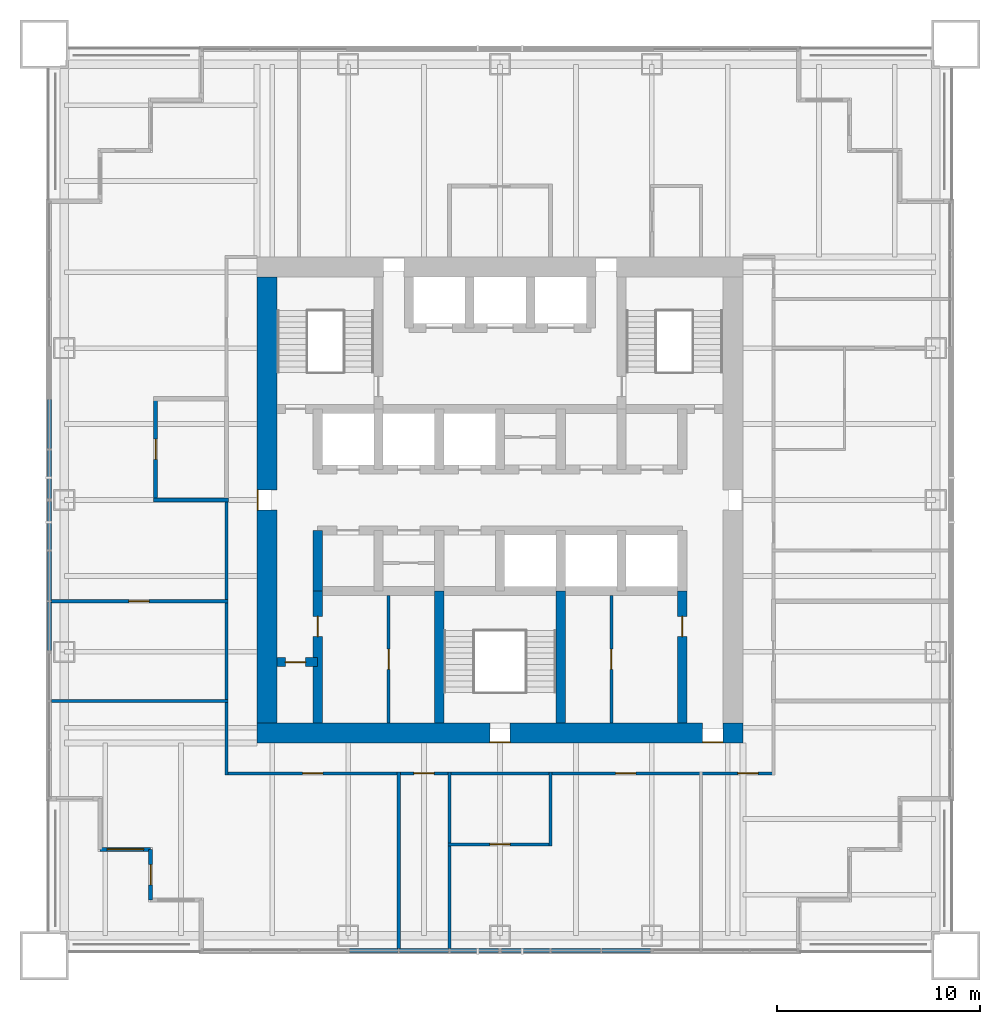
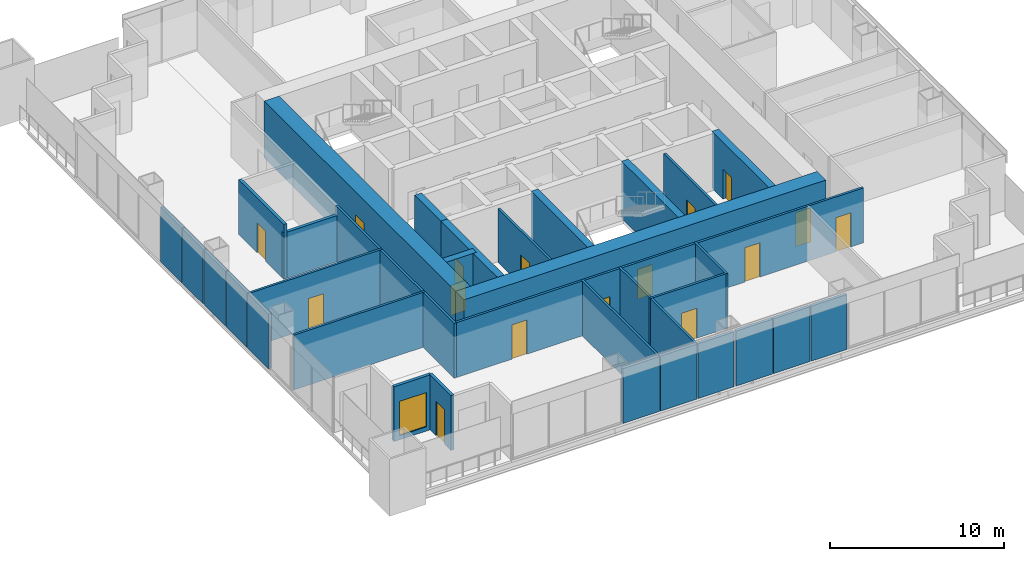
# One storey, part 8 of 13: 33 walls, 16 doors, 1 window, 17 openings.
"""IFC4 building model written with IfcOpenShell, lengths in metres."""

from ifc_helpers import new_model, si_unit, direction, frame, frame_2d, origin, place, context, subcontext, project, spatial, rectangle, extrude, material, layer, layer_set, type_object, element, fill, save


model = new_model("IFC4")

# Units and contexts
model_context = context("Model", 3, precision=1e-05, world=origin(), true_north=direction((0.0, 1.0)))
body_context = subcontext(model_context, "Body", "Model", "MODEL_VIEW")
ifc_project = project(units=[si_unit("LENGTHUNIT", "METRE"), si_unit("AREAUNIT", "SQUARE_METRE"), si_unit("VOLUMEUNIT", "CUBIC_METRE"), si_unit("PLANEANGLEUNIT", "RADIAN"), si_unit("MASSUNIT", "GRAM", prefix="KILO")], contexts=[model_context])

# Site, building, storey
site_placement = place(None, origin())
site = spatial("IfcSite", under=ifc_project, at=site_placement, CompositionType="ELEMENT")
building_placement = place(site_placement, origin())
building = spatial("IfcBuilding", under=site, at=building_placement, Name="Tarangal Relay Tower", CompositionType="ELEMENT")
storey_placement = place(building_placement, frame((0.0, 0.0, 197.89990234375)))
storey = spatial("IfcBuildingStorey", under=building, at=storey_placement, Name="L41", CompositionType="ELEMENT", Elevation=197.89990234375)

# Wall
ifc_material_1 = material(Name="Two layers gypsum board each side on twin steel studs, mineral wool", Category="steel")
ifc_layer_1 = layer(ifc_material_1, 0.199951171875)
ifc_layer_set_1 = layer_set([ifc_layer_1], Name="Acoustic partition 200")
wall_type_1 = type_object("IfcWallType", Name="Acoustic partition 200", PredefinedType="PARTITIONING", material=ifc_layer_set_1)
wall_1_placement = place(storey_placement, frame((-17.10009765625, 0.0, 0.0), z_axis=(0.0, 0.0, 1.0), x_axis=(1.0, 0.0, 0.0)))
element("IfcWall", 1, at=wall_1_placement, inside=storey, type_object=wall_type_1, Name="Partition PT2 L41", PredefinedType="PARTITIONING", context=body_context, shape_type="SweptSolid", body=[
    extrude(rectangle(XDim=3.7001953125, YDim=0.199951171875, at=frame_2d((1.85009765625, 0.0))), origin(), (0.0, 0.0, 1.0), 3.238037109375),
])

# Wall, opening, door
wall_2_placement = place(storey_placement, frame((-17.0, -0.10009765625, 0.0), z_axis=(0.0, 0.0, 1.0), x_axis=(0.0, 1.0, 0.0)))
wall_2 = element("IfcWall", 2, at=wall_2_placement, inside=storey, type_object=wall_type_1, Name="Partition PT2 L41", PredefinedType="PARTITIONING", context=body_context, shape_type="SweptSolid", body=[
    extrude(rectangle(XDim=5.2001953125, YDim=0.199951171875, at=frame_2d((2.60009765625, 0.0))), origin(), (0.0, 0.0, 1.0), 3.85009765625),
])
opening_1_placement = place(wall_2_placement, frame((2.10009765625, 0.0, 0.0)))
opening_1 = element("IfcOpeningElement", 3, at=opening_1_placement, cuts=wall_2, Name="Opening D2", PredefinedType="OPENING", context=body_context, shape_type="SweptSolid", body=[
    extrude(rectangle(XDim=1.0, YDim=2.10009765625, at=frame_2d((0.5, 1.050048828125))), frame((0.0, 0.10986328125, 0.0), z_axis=(0.0, -1.0, 0.0), x_axis=(1.0, 0.0, 0.0)), (0.0, 0.0, 1.0), 0.219970703125),
])
ifc_material_2 = material(Name="Hardwood door", Category="wood")
door_type_1 = type_object("IfcDoorType", Name="Door 1000 x 2100", OperationType="SINGLE_SWING_LEFT", PredefinedType="DOOR", material=ifc_material_2)
door_1_placement = place(opening_1_placement, origin())
door_1 = element("IfcDoor", 4, at=door_1_placement, inside=storey, type_object=door_type_1, Name="Door D2 to meeting room L41-13", OperationType="SINGLE_SWING_LEFT", OverallHeight=2.10009765625, OverallWidth=1.0, PredefinedType="DOOR", context=body_context, shape_type="SweptSolid", body=[
    extrude(rectangle(XDim=1.0, YDim=2.10009765625, at=frame_2d((0.5, 1.050048828125))), frame((0.0, 0.02490234375, 0.0), z_axis=(0.0, -1.0, 0.0), x_axis=(1.0, 0.0, 0.0)), (0.0, 0.0, 1.0), 0.050048828125),
])
fill(opening_1, door_1)

ifc_material_3 = material(Name="Concrete fc' 60 MPa", Category="concrete")
ifc_layer_2 = layer(ifc_material_3, 0.449951171875)
ifc_layer_set_2 = layer_set([ifc_layer_2], Name="Core inner wall 450")
wall_type_2 = type_object("IfcWallType", Name="Core inner wall 450", PredefinedType="SHEAR", material=ifc_layer_set_2)
wall_3_placement = place(storey_placement, frame((-11.0, -8.0, 0.0), z_axis=(0.0, 0.0, 1.0), x_axis=(1.0, 0.0, 0.0)))
wall_3 = element("IfcWall", 5, at=wall_3_placement, inside=storey, type_object=wall_type_2, Name="Core wall YM8 L41", PredefinedType="SHEAR", context=body_context, shape_type="SweptSolid", body=[
    extrude(rectangle(XDim=2.0, YDim=0.449951171875, at=frame_2d((1.0, 0.0))), origin(), (0.0, 0.0, 1.0), 4.0),
])
opening_2_placement = place(wall_3_placement, frame((0.39990234375, 0.0, 0.0)))
opening_2 = element("IfcOpeningElement", 6, at=opening_2_placement, cuts=wall_3, Name="Opening D1", PredefinedType="OPENING", context=body_context, shape_type="SweptSolid", body=[
    extrude(rectangle(XDim=1.0, YDim=2.10009765625, at=frame_2d((0.5, 1.050048828125))), frame((0.0, 0.23486328125, 0.0), z_axis=(0.0, -1.0, 0.0), x_axis=(1.0, 0.0, 0.0)), (0.0, 0.0, 1.0), 0.469970703125),
])
door_type_2 = type_object("IfcDoorType", Name="WC door 1000 x 2100", OperationType="SINGLE_SWING_LEFT", PredefinedType="DOOR", material=ifc_material_2)
door_2_placement = place(opening_2_placement, origin())
door_2 = element("IfcDoor", 7, at=door_2_placement, inside=storey, type_object=door_type_2, Name="Accessible WC door L41", OperationType="SINGLE_SWING_LEFT", OverallHeight=2.10009765625, OverallWidth=1.0, PredefinedType="DOOR", context=body_context, shape_type="SweptSolid", body=[
    extrude(rectangle(XDim=1.0, YDim=2.10009765625, at=frame_2d((0.5, 1.050048828125))), frame((0.0, 0.02490234375, 0.0), z_axis=(0.0, -1.0, 0.0), x_axis=(1.0, 0.0, 0.0)), (0.0, 0.0, 1.0), 0.050048828125),
])
fill(opening_2, door_2)

# Wall
wall_4_placement = place(storey_placement, frame((-9.0, -4.5, 0.0), z_axis=(0.0, 0.0, 1.0), x_axis=(0.0, 1.0, 0.0)))
element("IfcWall", 8, at=wall_4_placement, inside=storey, type_object=wall_type_2, Name="Core wall XM9S L41", PredefinedType="SHEAR", context=body_context, shape_type="SweptSolid", body=[
    extrude(rectangle(XDim=3.0, YDim=0.449951171875, at=frame_2d((1.5, 0.0))), origin(), (0.0, 0.0, 1.0), 4.0),
])

# Wall, opening, door
wall_5_placement = place(storey_placement, frame((-9.0, -11.0, 0.0), z_axis=(0.0, 0.0, 1.0), x_axis=(0.0, 1.0, 0.0)))
wall_5 = element("IfcWall", 9, at=wall_5_placement, inside=storey, type_object=wall_type_2, Name="Core wall XM9W L41", PredefinedType="SHEAR", context=body_context, shape_type="SweptSolid", body=[
    extrude(rectangle(XDim=6.5, YDim=0.449951171875, at=frame_2d((3.25, 0.0))), origin(), (0.0, 0.0, 1.0), 4.0),
])
opening_3_placement = place(wall_5_placement, frame((4.25, 0.0, 0.0)))
opening_3 = element("IfcOpeningElement", 10, at=opening_3_placement, cuts=wall_5, Name="Opening D1", PredefinedType="OPENING", context=body_context, shape_type="SweptSolid", body=[
    extrude(rectangle(XDim=1.0, YDim=2.10009765625, at=frame_2d((0.5, 1.050048828125))), frame((0.0, 0.23486328125, 0.0), z_axis=(0.0, -1.0, 0.0), x_axis=(1.0, 0.0, 0.0)), (0.0, 0.0, 1.0), 0.469970703125),
])
door_3_placement = place(opening_3_placement, origin())
door_3 = element("IfcDoor", 11, at=door_3_placement, inside=storey, type_object=door_type_2, Name="Male WC door L41", OperationType="SINGLE_SWING_LEFT", OverallHeight=2.10009765625, OverallWidth=1.0, PredefinedType="DOOR", context=body_context, shape_type="SweptSolid", body=[
    extrude(rectangle(XDim=1.0, YDim=2.10009765625, at=frame_2d((0.5, 1.050048828125))), frame((0.0, 0.02490234375, 0.0), z_axis=(0.0, -1.0, 0.0), x_axis=(1.0, 0.0, 0.0)), (0.0, 0.0, 1.0), 0.050048828125),
])
fill(opening_3, door_3)

wall_6_placement = place(storey_placement, frame((9.0, -11.0, 0.0), z_axis=(0.0, 0.0, 1.0), x_axis=(0.0, 1.0, 0.0)))
wall_6 = element("IfcWall", 12, at=wall_6_placement, inside=storey, type_object=wall_type_2, Name="Core wall X9W L41", PredefinedType="SHEAR", context=body_context, shape_type="SweptSolid", body=[
    extrude(rectangle(XDim=6.5, YDim=0.449951171875, at=frame_2d((3.25, 0.0))), origin(), (0.0, 0.0, 1.0), 4.0),
])
opening_4_placement = place(wall_6_placement, frame((4.25, 0.0, 0.0)))
opening_4 = element("IfcOpeningElement", 13, at=opening_4_placement, cuts=wall_6, Name="Opening D1", PredefinedType="OPENING", context=body_context, shape_type="SweptSolid", body=[
    extrude(rectangle(XDim=1.0, YDim=2.10009765625, at=frame_2d((0.5, 1.050048828125))), frame((0.0, 0.23486328125, 0.0), z_axis=(0.0, -1.0, 0.0), x_axis=(1.0, 0.0, 0.0)), (0.0, 0.0, 1.0), 0.469970703125),
])
door_4_placement = place(opening_4_placement, origin())
door_4 = element("IfcDoor", 14, at=door_4_placement, inside=storey, type_object=door_type_2, Name="Female WC door L41", OperationType="SINGLE_SWING_LEFT", OverallHeight=2.10009765625, OverallWidth=1.0, PredefinedType="DOOR", context=body_context, shape_type="SweptSolid", body=[
    extrude(rectangle(XDim=1.0, YDim=2.10009765625, at=frame_2d((0.5, 1.050048828125))), frame((0.0, 0.02490234375, 0.0), z_axis=(0.0, -1.0, 0.0), x_axis=(1.0, 0.0, 0.0)), (0.0, 0.0, 1.0), 0.050048828125),
])
fill(opening_4, door_4)

# Walls
for number, where, z_axis, x_axis, name in (
    (15, (-3.0, -11.0, 0.0), (0.0, 0.0, 1.0), (0.0, 1.0, 0.0), "Core wall XM3W L41"),
    (16, (3.0, -11.0, 0.0), (0.0, 0.0, 1.0), (0.0, 1.0, 0.0), "Core wall X3W L41"),
):
    element("IfcWall", number, at=place(storey_placement, frame(where, z_axis=z_axis, x_axis=x_axis)), inside=storey, type_object=wall_type_2, Name=name, PredefinedType="SHEAR", context=body_context, shape_type="SweptSolid", body=[
        extrude(rectangle(XDim=6.5, YDim=0.449951171875, at=frame_2d((3.25, 0.0))), origin(), (0.0, 0.0, 1.0), 4.0),
    ])

# Wall, openings, doors
ifc_layer_3 = layer(ifc_material_3, 1.0)
ifc_layer_set_3 = layer_set([ifc_layer_3], Name="Core wall 1000")
wall_type_3 = type_object("IfcWallType", Name="Core wall 1000", PredefinedType="SHEAR", material=ifc_layer_set_3)
wall_7_placement = place(storey_placement, frame((12.0, -11.5, 0.0), z_axis=(0.0, 0.0, 1.0), x_axis=(-1.0, 0.0, 0.0)))
wall_7 = element("IfcWall", 17, at=wall_7_placement, inside=storey, type_object=wall_type_3, Name="Core wall S L41", PredefinedType="SHEAR", context=body_context, shape_type="SweptSolid", body=[
    extrude(rectangle(XDim=24.0, YDim=1.0, at=frame_2d((12.0, 0.0))), origin(), (0.0, 0.0, 1.0), 4.0),
])
opening_5_placement = place(wall_7_placement, frame((11.5, 0.0, 0.0)))
opening_5 = element("IfcOpeningElement", 18, at=opening_5_placement, cuts=wall_7, Name="Opening FD1", PredefinedType="OPENING", context=body_context, shape_type="SweptSolid", body=[
    extrude(rectangle(XDim=1.0, YDim=2.10009765625, at=frame_2d((0.5, 1.050048828125))), frame((0.0, 0.510009765625, 0.0), z_axis=(0.0, -1.0, 0.0), x_axis=(1.0, 0.0, 0.0)), (0.0, 0.0, 1.0), 1.02001953125),
])
opening_6_placement = place(wall_7_placement, frame((1.0, 0.0, 0.0)))
opening_6 = element("IfcOpeningElement", 19, at=opening_6_placement, cuts=wall_7, Name="Opening FD3", PredefinedType="OPENING", context=body_context, shape_type="SweptSolid", body=[
    extrude(rectangle(XDim=1.0, YDim=2.39990234375, at=frame_2d((0.5, 1.199951171875))), frame((0.0, 0.510009765625, 0.0), z_axis=(0.0, -1.0, 0.0), x_axis=(1.0, 0.0, 0.0)), (0.0, 0.0, 1.0), 1.02001953125),
])
ifc_material_4 = material(Name="Steel door with hardwood frame", Category="steel")
door_type_3 = type_object("IfcDoorType", Name="Fire door 1000 x 2100", OperationType="SINGLE_SWING_LEFT", PredefinedType="DOOR", material=ifc_material_4)
door_5_placement = place(opening_5_placement, origin())
door_5 = element("IfcDoor", 20, at=door_5_placement, inside=storey, type_object=door_type_3, Name="Stair ST-C door L41", OperationType="SINGLE_SWING_LEFT", OverallHeight=2.10009765625, OverallWidth=1.0, PredefinedType="DOOR", context=body_context, shape_type="SweptSolid", body=[
    extrude(rectangle(XDim=1.0, YDim=2.10009765625, at=frame_2d((0.5, 1.050048828125))), frame((0.0, 0.48486328125, 0.0), z_axis=(0.0, -1.0, 0.0), x_axis=(1.0, 0.0, 0.0)), (0.0, 0.0, 1.0), 0.050048828125),
])
fill(opening_5, door_5)
door_type_4 = type_object("IfcDoorType", Name="Fire door 1000 x 2400 core entry", OperationType="SINGLE_SWING_RIGHT", PredefinedType="DOOR", material=ifc_material_4)
door_6_placement = place(opening_6_placement, origin())
door_6 = element("IfcDoor", 21, at=door_6_placement, inside=storey, type_object=door_type_4, Name="Core entry door south east L41", OperationType="SINGLE_SWING_RIGHT", OverallHeight=2.39990234375, OverallWidth=1.0, PredefinedType="DOOR", context=body_context, shape_type="SweptSolid", body=[
    extrude(rectangle(XDim=1.0, YDim=2.39990234375, at=frame_2d((0.5, 1.199951171875))), frame((0.0, 0.48486328125, 0.0), z_axis=(0.0, -1.0, 0.0), x_axis=(1.0, 0.0, 0.0)), (0.0, 0.0, 1.0), 0.050048828125),
])
fill(opening_6, door_6)

# Wall, opening, door
wall_8_placement = place(storey_placement, frame((-11.5, -11.0, 0.0), z_axis=(0.0, 0.0, 1.0), x_axis=(0.0, 1.0, 0.0)))
wall_8 = element("IfcWall", 22, at=wall_8_placement, inside=storey, type_object=wall_type_3, Name="Core wall W L41", PredefinedType="SHEAR", context=body_context, shape_type="SweptSolid", body=[
    extrude(rectangle(XDim=22.0, YDim=1.0, at=frame_2d((11.0, 0.0))), origin(), (0.0, 0.0, 1.0), 4.0),
])
opening_7_placement = place(wall_8_placement, frame((10.5, 0.0, 0.0)))
opening_7 = element("IfcOpeningElement", 23, at=opening_7_placement, cuts=wall_8, Name="Opening FD3", PredefinedType="OPENING", context=body_context, shape_type="SweptSolid", body=[
    extrude(rectangle(XDim=1.0, YDim=2.39990234375, at=frame_2d((0.5, 1.199951171875))), frame((0.0, 0.510009765625, 0.0), z_axis=(0.0, -1.0, 0.0), x_axis=(1.0, 0.0, 0.0)), (0.0, 0.0, 1.0), 1.02001953125),
])
door_7_placement = place(opening_7_placement, origin())
door_7 = element("IfcDoor", 24, at=door_7_placement, inside=storey, type_object=door_type_4, Name="Core entry door west L41", OperationType="SINGLE_SWING_RIGHT", OverallHeight=2.39990234375, OverallWidth=1.0, PredefinedType="DOOR", context=body_context, shape_type="SweptSolid", body=[
    extrude(rectangle(XDim=1.0, YDim=2.39990234375, at=frame_2d((0.5, 1.199951171875))), frame((0.0, 0.48486328125, 0.0), z_axis=(0.0, -1.0, 0.0), x_axis=(1.0, 0.0, 0.0)), (0.0, 0.0, 1.0), 0.050048828125),
])
fill(opening_7, door_7)

ifc_material_5 = material(Name="Black metal clad insulated wall", Category="steel")
ifc_layer_4 = layer(ifc_material_5, 0.199951171875)
ifc_layer_set_4 = layer_set([ifc_layer_4], Name="Corner wall metal clad 200")
wall_type_4 = type_object("IfcWallType", Name="Corner wall metal clad 200", PredefinedType="SOLIDWALL", material=ifc_layer_set_4)
wall_9_placement = place(storey_placement, frame((-17.25, -19.75, 0.0), z_axis=(0.0, 0.0, 1.0), x_axis=(0.0, 1.0, 0.0)))
wall_9 = element("IfcWall", 25, at=wall_9_placement, inside=storey, type_object=wall_type_4, Name="Facade wall S facade L41", PredefinedType="SOLIDWALL", context=body_context, shape_type="SweptSolid", body=[
    extrude(rectangle(XDim=2.5, YDim=0.199951171875, at=frame_2d((1.25, 0.0))), origin(), (0.0, 0.0, 1.0), 3.85009765625),
])
opening_8_placement = place(wall_9_placement, frame((0.75, 0.0, 0.0)))
opening_8 = element("IfcOpeningElement", 26, at=opening_8_placement, cuts=wall_9, Name="Opening TD1", PredefinedType="OPENING", context=body_context, shape_type="SweptSolid", body=[
    extrude(rectangle(XDim=1.0, YDim=2.39990234375, at=frame_2d((0.5, 1.199951171875))), frame((0.0, 0.10986328125, 0.0), z_axis=(0.0, -1.0, 0.0), x_axis=(1.0, 0.0, 0.0)), (0.0, 0.0, 1.0), 0.219970703125),
])
ifc_material_6 = material(Name="Aluminium glazed door", Category="aluminium")
door_type_5 = type_object("IfcDoorType", Name="Terrace door 1000 x 2400", OperationType="SINGLE_SWING_RIGHT", PredefinedType="DOOR", material=ifc_material_6)
door_8_placement = place(opening_8_placement, origin())
door_8 = element("IfcDoor", 27, at=door_8_placement, inside=storey, type_object=door_type_5, Name="Terrace door TD1 SW L41", OperationType="SINGLE_SWING_RIGHT", OverallHeight=2.39990234375, OverallWidth=1.0, PredefinedType="DOOR", context=body_context, shape_type="SweptSolid", body=[
    extrude(rectangle(XDim=1.0, YDim=2.39990234375, at=frame_2d((0.5, 1.199951171875))), frame((0.0, 0.02490234375, 0.0), z_axis=(0.0, -1.0, 0.0), x_axis=(1.0, 0.0, 0.0)), (0.0, 0.0, 1.0), 0.050048828125),
])
fill(opening_8, door_8)

# Wall, opening, window
wall_10_placement = place(storey_placement, frame((-17.25, -17.25, 0.0), z_axis=(0.0, 0.0, 1.0), x_axis=(-1.0, 0.0, 0.0)))
wall_10 = element("IfcWall", 28, at=wall_10_placement, inside=storey, type_object=wall_type_4, Name="Facade wall S facade L41", PredefinedType="SOLIDWALL", context=body_context, shape_type="SweptSolid", body=[
    extrude(rectangle(XDim=2.5, YDim=0.199951171875, at=frame_2d((1.25, 0.0))), origin(), (0.0, 0.0, 1.0), 3.85009765625),
])
opening_9_placement = place(wall_10_placement, frame((0.35009765625, 0.0, 0.300048828125)))
opening_9 = element("IfcOpeningElement", 29, at=opening_9_placement, cuts=wall_10, Name="Opening WN2", PredefinedType="OPENING", context=body_context, shape_type="SweptSolid", body=[
    extrude(rectangle(XDim=1.800048828125, YDim=2.39990234375, at=frame_2d((0.89990234375, 1.199951171875))), frame((0.0, 0.10986328125, 0.0), z_axis=(0.0, -1.0, 0.0), x_axis=(1.0, 0.0, 0.0)), (0.0, 0.0, 1.0), 0.219970703125),
])
ifc_material_7 = material(Name="Dark tinted double glazing in black aluminium frame", Category="aluminium")
window_type = type_object("IfcWindowType", Name="Corner window 1800 x 2400", PartitioningType="SINGLE_PANEL", PredefinedType="WINDOW", material=ifc_material_7)
window_placement = place(opening_9_placement, origin())
window = element("IfcWindow", 30, at=window_placement, inside=storey, type_object=window_type, Name="Corner window WN2 S facade L41", OverallHeight=2.39990234375, OverallWidth=1.800048828125, PartitioningType="SINGLE_PANEL", PredefinedType="WINDOW", context=body_context, shape_type="SweptSolid", body=[
    extrude(rectangle(XDim=1.800048828125, YDim=2.39990234375, at=frame_2d((0.89990234375, 1.199951171875))), frame((0.0, 0.030029296875, 0.0), z_axis=(0.0, -1.0, 0.0), x_axis=(1.0, 0.0, 0.0)), (0.0, 0.0, 1.0), 0.06005859375),
])
fill(opening_9, window)

# Walls
ifc_layer_5 = layer(ifc_material_5, 0.199951171875)
ifc_layer_set_5 = layer_set([ifc_layer_5], Name="Facade infill wall metal clad 200")
wall_type_5 = type_object("IfcWallType", Name="Facade infill wall metal clad 200", PredefinedType="SOLIDWALL", material=ifc_layer_set_5)
wall_11_placement = place(storey_placement, frame((7.43505859375, -22.25, 0.0), z_axis=(0.0, 0.0, 1.0), x_axis=(-1.0, 0.0, 0.0)))
element("IfcWall", 31, at=wall_11_placement, inside=storey, type_object=wall_type_5, Name="Facade infill wall S facade L41 1.1", PredefinedType="SOLIDWALL", context=body_context, shape_type="SweptSolid", body=[
    extrude(rectangle(XDim=2.402587890625, YDim=0.199951171875, at=frame_2d((1.201171875, 0.0))), origin(), (0.0, 0.0, 1.0), 3.85009765625),
])
wall_12_placement = place(storey_placement, frame((4.967529296875, -22.25, 0.0), z_axis=(0.0, 0.0, 1.0), x_axis=(-1.0, 0.0, 0.0)))
element("IfcWall", 32, at=wall_12_placement, inside=storey, type_object=wall_type_5, Name="Facade infill wall S facade L41 2.1", PredefinedType="SOLIDWALL", context=body_context, shape_type="SweptSolid", body=[
    extrude(rectangle(XDim=2.43505859375, YDim=0.199951171875, at=frame_2d((1.217529296875, 0.0))), origin(), (0.0, 0.0, 1.0), 3.85009765625),
])
for number, where, z_axis, x_axis, name in (
    (33, (2.467529296875, -22.25, 0.0), (0.0, 0.0, 1.0), (-1.0, 0.0, 0.0), "Facade infill wall S facade L41 3.1"),
    (34, (-0.06494140625, -22.25, 0.0), (0.0, 0.0, 1.0), (-1.0, 0.0, 0.0), "Facade infill wall S facade L41 1.1"),
):
    element("IfcWall", number, at=place(storey_placement, frame(where, z_axis=z_axis, x_axis=x_axis)), inside=storey, type_object=wall_type_5, Name=name, PredefinedType="SOLIDWALL", context=body_context, shape_type="SweptSolid", body=[
        extrude(rectangle(XDim=2.402587890625, YDim=0.199951171875, at=frame_2d((1.201171875, 0.0))), origin(), (0.0, 0.0, 1.0), 3.85009765625),
    ])
wall_13_placement = place(storey_placement, frame((-2.532470703125, -22.25, 0.0), z_axis=(0.0, 0.0, 1.0), x_axis=(-1.0, 0.0, 0.0)))
element("IfcWall", 35, at=wall_13_placement, inside=storey, type_object=wall_type_5, Name="Facade infill wall S facade L41 2.1", PredefinedType="SOLIDWALL", context=body_context, shape_type="SweptSolid", body=[
    extrude(rectangle(XDim=2.43505859375, YDim=0.199951171875, at=frame_2d((1.217529296875, 0.0))), origin(), (0.0, 0.0, 1.0), 3.85009765625),
])
for number, where, z_axis, x_axis, name in (
    (36, (-5.032470703125, -22.25, 0.0), (0.0, 0.0, 1.0), (-1.0, 0.0, 0.0), "Facade infill wall S facade L41 3.1"),
    (37, (-22.25, -7.43505859375, 0.0), (0.0, 0.0, 1.0), (0.0, 1.0, 0.0), "Facade infill wall W facade L41 1.1"),
):
    element("IfcWall", number, at=place(storey_placement, frame(where, z_axis=z_axis, x_axis=x_axis)), inside=storey, type_object=wall_type_5, Name=name, PredefinedType="SOLIDWALL", context=body_context, shape_type="SweptSolid", body=[
        extrude(rectangle(XDim=2.402587890625, YDim=0.199951171875, at=frame_2d((1.201171875, 0.0))), origin(), (0.0, 0.0, 1.0), 3.85009765625),
    ])
wall_14_placement = place(storey_placement, frame((-22.25, -4.967529296875, 0.0), z_axis=(0.0, 0.0, 1.0), x_axis=(0.0, 1.0, 0.0)))
element("IfcWall", 38, at=wall_14_placement, inside=storey, type_object=wall_type_5, Name="Facade infill wall W facade L41 2.1", PredefinedType="SOLIDWALL", context=body_context, shape_type="SweptSolid", body=[
    extrude(rectangle(XDim=2.43505859375, YDim=0.199951171875, at=frame_2d((1.217529296875, 0.0))), origin(), (0.0, 0.0, 1.0), 3.85009765625),
])
for number, where, z_axis, x_axis, name in (
    (39, (-22.25, -2.467529296875, 0.0), (0.0, 0.0, 1.0), (0.0, 1.0, 0.0), "Facade infill wall W facade L41 3.1"),
    (40, (-22.25, 0.06494140625, 0.0), (0.0, 0.0, 1.0), (0.0, 1.0, 0.0), "Facade infill wall W facade L41 1.1"),
):
    element("IfcWall", number, at=place(storey_placement, frame(where, z_axis=z_axis, x_axis=x_axis)), inside=storey, type_object=wall_type_5, Name=name, PredefinedType="SOLIDWALL", context=body_context, shape_type="SweptSolid", body=[
        extrude(rectangle(XDim=2.402587890625, YDim=0.199951171875, at=frame_2d((1.201171875, 0.0))), origin(), (0.0, 0.0, 1.0), 3.85009765625),
    ])
wall_15_placement = place(storey_placement, frame((-22.25, 2.532470703125, 0.0), z_axis=(0.0, 0.0, 1.0), x_axis=(0.0, 1.0, 0.0)))
element("IfcWall", 41, at=wall_15_placement, inside=storey, type_object=wall_type_5, Name="Facade infill wall W facade L41 2.1", PredefinedType="SOLIDWALL", context=body_context, shape_type="SweptSolid", body=[
    extrude(rectangle(XDim=2.43505859375, YDim=0.199951171875, at=frame_2d((1.217529296875, 0.0))), origin(), (0.0, 0.0, 1.0), 3.85009765625),
])

# Wall, opening, door
ifc_material_8 = material(Name="Gypsum board on steel studs", Category="steel")
ifc_layer_6 = layer(ifc_material_8, 0.14990234375)
ifc_layer_set_6 = layer_set([ifc_layer_6], Name="Partition 150")
wall_type_6 = type_object("IfcWallType", Name="Partition 150", PredefinedType="PARTITIONING", material=ifc_layer_set_6)
wall_16_placement = place(storey_placement, frame((-2.574951171875, -17.0, 0.0), z_axis=(0.0, 0.0, 1.0), x_axis=(1.0, 0.0, 0.0)))
wall_16 = element("IfcWall", 42, at=wall_16_placement, inside=storey, type_object=wall_type_6, Name="Partition PT1 L41", PredefinedType="PARTITIONING", context=body_context, shape_type="SweptSolid", body=[
    extrude(rectangle(XDim=5.14990234375, YDim=0.14990234375, at=frame_2d((2.574951171875, 0.0))), origin(), (0.0, 0.0, 1.0), 3.85009765625),
])
opening_10_placement = place(wall_16_placement, frame((2.074951171875, 0.0, 0.0)))
opening_10 = element("IfcOpeningElement", 43, at=opening_10_placement, cuts=wall_16, Name="Opening D2", PredefinedType="OPENING", context=body_context, shape_type="SweptSolid", body=[
    extrude(rectangle(XDim=1.0, YDim=2.10009765625, at=frame_2d((0.5, 1.050048828125))), frame((0.0, 0.0849609375, 0.0), z_axis=(0.0, -1.0, 0.0), x_axis=(1.0, 0.0, 0.0)), (0.0, 0.0, 1.0), 0.169921875),
])
door_9_placement = place(opening_10_placement, origin())
door_9 = element("IfcDoor", 44, at=door_9_placement, inside=storey, type_object=door_type_1, Name="Door D2 to tea pantry L41-10", OperationType="SINGLE_SWING_LEFT", OverallHeight=2.10009765625, OverallWidth=1.0, PredefinedType="DOOR", context=body_context, shape_type="SweptSolid", body=[
    extrude(rectangle(XDim=1.0, YDim=2.10009765625, at=frame_2d((0.5, 1.050048828125))), frame((0.0, 0.02490234375, 0.0), z_axis=(0.0, -1.0, 0.0), x_axis=(1.0, 0.0, 0.0)), (0.0, 0.0, 1.0), 0.050048828125),
])
fill(opening_10, door_9)

# Wall, openings, doors
wall_17_placement = place(storey_placement, frame((-13.574951171875, -13.5, 0.0), z_axis=(0.0, 0.0, 1.0), x_axis=(1.0, 0.0, 0.0)))
wall_17 = element("IfcWall", 45, at=wall_17_placement, inside=storey, type_object=wall_type_6, Name="Partition PT1 L41", PredefinedType="PARTITIONING", context=body_context, shape_type="SweptSolid", body=[
    extrude(rectangle(XDim=27.14990234375, YDim=0.14990234375, at=frame_2d((13.574951171875, 0.0))), origin(), (0.0, 0.0, 1.0), 3.85009765625),
])
opening_11_placement = place(wall_17_placement, frame((19.283447265625, 0.0, 0.0)))
opening_11 = element("IfcOpeningElement", 46, at=opening_11_placement, cuts=wall_17, Name="Opening SD1", PredefinedType="OPENING", context=body_context, shape_type="SweptSolid", body=[
    extrude(rectangle(XDim=1.0, YDim=2.39990234375, at=frame_2d((0.5, 1.199951171875))), frame((0.0, 0.0849609375, 0.0), z_axis=(0.0, -1.0, 0.0), x_axis=(1.0, 0.0, 0.0)), (0.0, 0.0, 1.0), 0.169921875),
])
opening_12_placement = place(wall_17_placement, frame((9.324951171875, 0.0, 0.0)))
opening_12 = element("IfcOpeningElement", 47, at=opening_12_placement, cuts=wall_17, Name="Opening D2", PredefinedType="OPENING", context=body_context, shape_type="SweptSolid", body=[
    extrude(rectangle(XDim=1.0, YDim=2.10009765625, at=frame_2d((0.5, 1.050048828125))), frame((0.0, 0.0849609375, 0.0), z_axis=(0.0, -1.0, 0.0), x_axis=(1.0, 0.0, 0.0)), (0.0, 0.0, 1.0), 0.169921875),
])
opening_13_placement = place(wall_17_placement, frame((3.824951171875, 0.0, 0.0)))
opening_13 = element("IfcOpeningElement", 48, at=opening_13_placement, cuts=wall_17, Name="Opening SD1", PredefinedType="OPENING", context=body_context, shape_type="SweptSolid", body=[
    extrude(rectangle(XDim=1.0, YDim=2.39990234375, at=frame_2d((0.5, 1.199951171875))), frame((0.0, 0.0849609375, 0.0), z_axis=(0.0, -1.0, 0.0), x_axis=(1.0, 0.0, 0.0)), (0.0, 0.0, 1.0), 0.169921875),
])
opening_14_placement = place(wall_17_placement, frame((25.318359375, 0.0, 0.0)))
opening_14 = element("IfcOpeningElement", 49, at=opening_14_placement, cuts=wall_17, Name="Opening SD1", PredefinedType="OPENING", context=body_context, shape_type="SweptSolid", body=[
    extrude(rectangle(XDim=1.0, YDim=2.39990234375, at=frame_2d((0.5, 1.199951171875))), frame((0.0, 0.0849609375, 0.0), z_axis=(0.0, -1.0, 0.0), x_axis=(1.0, 0.0, 0.0)), (0.0, 0.0, 1.0), 0.169921875),
])
door_10_placement = place(opening_12_placement, origin())
door_10 = element("IfcDoor", 50, at=door_10_placement, inside=storey, type_object=door_type_1, Name="Door D2 to print room L41-11", OperationType="SINGLE_SWING_LEFT", OverallHeight=2.10009765625, OverallWidth=1.0, PredefinedType="DOOR", context=body_context, shape_type="SweptSolid", body=[
    extrude(rectangle(XDim=1.0, YDim=2.10009765625, at=frame_2d((0.5, 1.050048828125))), frame((0.0, 0.02490234375, 0.0), z_axis=(0.0, -1.0, 0.0), x_axis=(1.0, 0.0, 0.0)), (0.0, 0.0, 1.0), 0.050048828125),
])
fill(opening_12, door_10)
door_type_6 = type_object("IfcDoorType", Name="Suite entrance door 1000 x 2400", OperationType="SINGLE_SWING_RIGHT", PredefinedType="DOOR", material=ifc_material_4)
door_11_placement = place(opening_11_placement, origin())
door_11 = element("IfcDoor", 51, at=door_11_placement, inside=storey, type_object=door_type_6, Name="Door SD1 to open plan office L41-09", OperationType="SINGLE_SWING_RIGHT", OverallHeight=2.39990234375, OverallWidth=1.0, PredefinedType="DOOR", context=body_context, shape_type="SweptSolid", body=[
    extrude(rectangle(XDim=1.0, YDim=2.39990234375, at=frame_2d((0.5, 1.199951171875))), frame((0.0, 0.02490234375, 0.0), z_axis=(0.0, -1.0, 0.0), x_axis=(1.0, 0.0, 0.0)), (0.0, 0.0, 1.0), 0.050048828125),
])
fill(opening_11, door_11)
door_12_placement = place(opening_13_placement, origin())
door_12 = element("IfcDoor", 52, at=door_12_placement, inside=storey, type_object=door_type_6, Name="Door SD1 to open plan office L41-15", OperationType="SINGLE_SWING_RIGHT", OverallHeight=2.39990234375, OverallWidth=1.0, PredefinedType="DOOR", context=body_context, shape_type="SweptSolid", body=[
    extrude(rectangle(XDim=1.0, YDim=2.39990234375, at=frame_2d((0.5, 1.199951171875))), frame((0.0, 0.02490234375, 0.0), z_axis=(0.0, -1.0, 0.0), x_axis=(1.0, 0.0, 0.0)), (0.0, 0.0, 1.0), 0.050048828125),
])
fill(opening_13, door_12)
door_13_placement = place(opening_14_placement, origin())
door_13 = element("IfcDoor", 53, at=door_13_placement, inside=storey, type_object=door_type_6, Name="Door SD1 to open plan office L41-17", OperationType="SINGLE_SWING_RIGHT", OverallHeight=2.39990234375, OverallWidth=1.0, PredefinedType="DOOR", context=body_context, shape_type="SweptSolid", body=[
    extrude(rectangle(XDim=1.0, YDim=2.39990234375, at=frame_2d((0.5, 1.199951171875))), frame((0.0, 0.02490234375, 0.0), z_axis=(0.0, -1.0, 0.0), x_axis=(1.0, 0.0, 0.0)), (0.0, 0.0, 1.0), 0.050048828125),
])
fill(opening_14, door_13)

# Wall
wall_18_placement = place(storey_placement, frame((-22.14990234375, -9.9169921875, 0.0), z_axis=(0.0, 0.0, 1.0), x_axis=(1.0, 0.0, 0.0)))
element("IfcWall", 54, at=wall_18_placement, inside=storey, type_object=wall_type_6, Name="Partition PT1 L41", PredefinedType="PARTITIONING", context=body_context, shape_type="SweptSolid", body=[
    extrude(rectangle(XDim=8.724853515625, YDim=0.14990234375, at=frame_2d((4.3623046875, 0.0))), origin(), (0.0, 0.0, 1.0), 3.85009765625),
])

# Wall, opening, door
wall_19_placement = place(storey_placement, frame((-22.14990234375, -5.0, 0.0), z_axis=(0.0, 0.0, 1.0), x_axis=(1.0, 0.0, 0.0)))
wall_19 = element("IfcWall", 55, at=wall_19_placement, inside=storey, type_object=wall_type_6, Name="Partition PT1 L41", PredefinedType="PARTITIONING", context=body_context, shape_type="SweptSolid", body=[
    extrude(rectangle(XDim=8.724853515625, YDim=0.14990234375, at=frame_2d((4.3623046875, 0.0))), origin(), (0.0, 0.0, 1.0), 3.85009765625),
])
opening_15_placement = place(wall_19_placement, frame((3.824951171875, 0.0, 0.0)))
opening_15 = element("IfcOpeningElement", 56, at=opening_15_placement, cuts=wall_19, Name="Opening D2", PredefinedType="OPENING", context=body_context, shape_type="SweptSolid", body=[
    extrude(rectangle(XDim=1.0, YDim=2.10009765625, at=frame_2d((0.5, 1.050048828125))), frame((0.0, 0.0849609375, 0.0), z_axis=(0.0, -1.0, 0.0), x_axis=(1.0, 0.0, 0.0)), (0.0, 0.0, 1.0), 0.169921875),
])
door_14_placement = place(opening_15_placement, origin())
door_14 = element("IfcDoor", 57, at=door_14_placement, inside=storey, type_object=door_type_1, Name="Door D2 to cellular office L41-12", OperationType="SINGLE_SWING_LEFT", OverallHeight=2.10009765625, OverallWidth=1.0, PredefinedType="DOOR", context=body_context, shape_type="SweptSolid", body=[
    extrude(rectangle(XDim=1.0, YDim=2.10009765625, at=frame_2d((0.5, 1.050048828125))), frame((0.0, 0.02490234375, 0.0), z_axis=(0.0, -1.0, 0.0), x_axis=(1.0, 0.0, 0.0)), (0.0, 0.0, 1.0), 0.050048828125),
])
fill(opening_15, door_14)

# Walls
wall_20_placement = place(storey_placement, frame((-13.5, -13.574951171875, 0.0), z_axis=(0.0, 0.0, 1.0), x_axis=(0.0, 1.0, 0.0)))
element("IfcWall", 58, at=wall_20_placement, inside=storey, type_object=wall_type_6, Name="Partition PT1 L41", PredefinedType="PARTITIONING", context=body_context, shape_type="SweptSolid", body=[
    extrude(rectangle(XDim=13.64990234375, YDim=0.14990234375, at=frame_2d((6.824951171875, 0.0))), origin(), (0.0, 0.0, 1.0), 3.85009765625),
])
for number, where, z_axis, x_axis, name in (
    (59, (-5.0, -22.14990234375, 0.0), (0.0, 0.0, 1.0), (0.0, 1.0, 0.0), "Partition PT1 L41"),
    (60, (-2.5, -22.14990234375, 0.0), (0.0, 0.0, 1.0), (0.0, 1.0, 0.0), "Partition PT1 L41"),
):
    element("IfcWall", number, at=place(storey_placement, frame(where, z_axis=z_axis, x_axis=x_axis)), inside=storey, type_object=wall_type_6, Name=name, PredefinedType="PARTITIONING", context=body_context, shape_type="SweptSolid", body=[
        extrude(rectangle(XDim=8.724853515625, YDim=0.14990234375, at=frame_2d((4.3623046875, 0.0))), origin(), (0.0, 0.0, 1.0), 3.85009765625),
    ])
wall_21_placement = place(storey_placement, frame((2.5, -17.074951171875, 0.0), z_axis=(0.0, 0.0, 1.0), x_axis=(0.0, 1.0, 0.0)))
element("IfcWall", 61, at=wall_21_placement, inside=storey, type_object=wall_type_6, Name="Partition PT1 L41", PredefinedType="PARTITIONING", context=body_context, shape_type="SweptSolid", body=[
    extrude(rectangle(XDim=3.64990234375, YDim=0.14990234375, at=frame_2d((1.824951171875, 0.0))), origin(), (0.0, 0.0, 1.0), 3.85009765625),
])

# Wall, opening, door
wall_22_placement = place(storey_placement, frame((-5.5, -11.0, 0.0), z_axis=(0.0, 0.0, 1.0), x_axis=(0.0, 1.0, 0.0)))
wall_22 = element("IfcWall", 62, at=wall_22_placement, inside=storey, type_object=wall_type_6, Name="Partition PT1 L41", PredefinedType="PARTITIONING", context=body_context, shape_type="SweptSolid", body=[
    extrude(rectangle(XDim=6.27490234375, YDim=0.14990234375, at=frame_2d((3.137451171875, 0.0))), origin(), (0.0, 0.0, 1.0), 3.75),
])
opening_16_placement = place(wall_22_placement, frame((2.637451171875, 0.0, 0.0)))
opening_16 = element("IfcOpeningElement", 63, at=opening_16_placement, cuts=wall_22, Name="Opening D1", PredefinedType="OPENING", context=body_context, shape_type="SweptSolid", body=[
    extrude(rectangle(XDim=1.0, YDim=2.10009765625, at=frame_2d((0.5, 1.050048828125))), frame((0.0, 0.0849609375, 0.0), z_axis=(0.0, -1.0, 0.0), x_axis=(1.0, 0.0, 0.0)), (0.0, 0.0, 1.0), 0.169921875),
])
door_15_placement = place(opening_16_placement, origin())
door_15 = element("IfcDoor", 64, at=door_15_placement, inside=storey, type_object=door_type_2, Name="Door D1 to male shower and changing room L41-C7B", OperationType="SINGLE_SWING_LEFT", OverallHeight=2.10009765625, OverallWidth=1.0, PredefinedType="DOOR", context=body_context, shape_type="SweptSolid", body=[
    extrude(rectangle(XDim=1.0, YDim=2.10009765625, at=frame_2d((0.5, 1.050048828125))), frame((0.0, 0.02490234375, 0.0), z_axis=(0.0, -1.0, 0.0), x_axis=(1.0, 0.0, 0.0)), (0.0, 0.0, 1.0), 0.050048828125),
])
fill(opening_16, door_15)

wall_23_placement = place(storey_placement, frame((5.5, -11.0, 0.0), z_axis=(0.0, 0.0, 1.0), x_axis=(0.0, 1.0, 0.0)))
wall_23 = element("IfcWall", 65, at=wall_23_placement, inside=storey, type_object=wall_type_6, Name="Partition PT1 L41", PredefinedType="PARTITIONING", context=body_context, shape_type="SweptSolid", body=[
    extrude(rectangle(XDim=6.27490234375, YDim=0.14990234375, at=frame_2d((3.137451171875, 0.0))), origin(), (0.0, 0.0, 1.0), 3.75),
])
opening_17_placement = place(wall_23_placement, frame((2.637451171875, 0.0, 0.0)))
opening_17 = element("IfcOpeningElement", 66, at=opening_17_placement, cuts=wall_23, Name="Opening D1", PredefinedType="OPENING", context=body_context, shape_type="SweptSolid", body=[
    extrude(rectangle(XDim=1.0, YDim=2.10009765625, at=frame_2d((0.5, 1.050048828125))), frame((0.0, 0.0849609375, 0.0), z_axis=(0.0, -1.0, 0.0), x_axis=(1.0, 0.0, 0.0)), (0.0, 0.0, 1.0), 0.169921875),
])
door_16_placement = place(opening_17_placement, origin())
door_16 = element("IfcDoor", 67, at=door_16_placement, inside=storey, type_object=door_type_2, Name="Door D1 to female shower and changing room L41-C10B", OperationType="SINGLE_SWING_LEFT", OverallHeight=2.10009765625, OverallWidth=1.0, PredefinedType="DOOR", context=body_context, shape_type="SweptSolid", body=[
    extrude(rectangle(XDim=1.0, YDim=2.10009765625, at=frame_2d((0.5, 1.050048828125))), frame((0.0, 0.02490234375, 0.0), z_axis=(0.0, -1.0, 0.0), x_axis=(1.0, 0.0, 0.0)), (0.0, 0.0, 1.0), 0.050048828125),
])
fill(opening_17, door_16)

save(model, "model.ifc")
